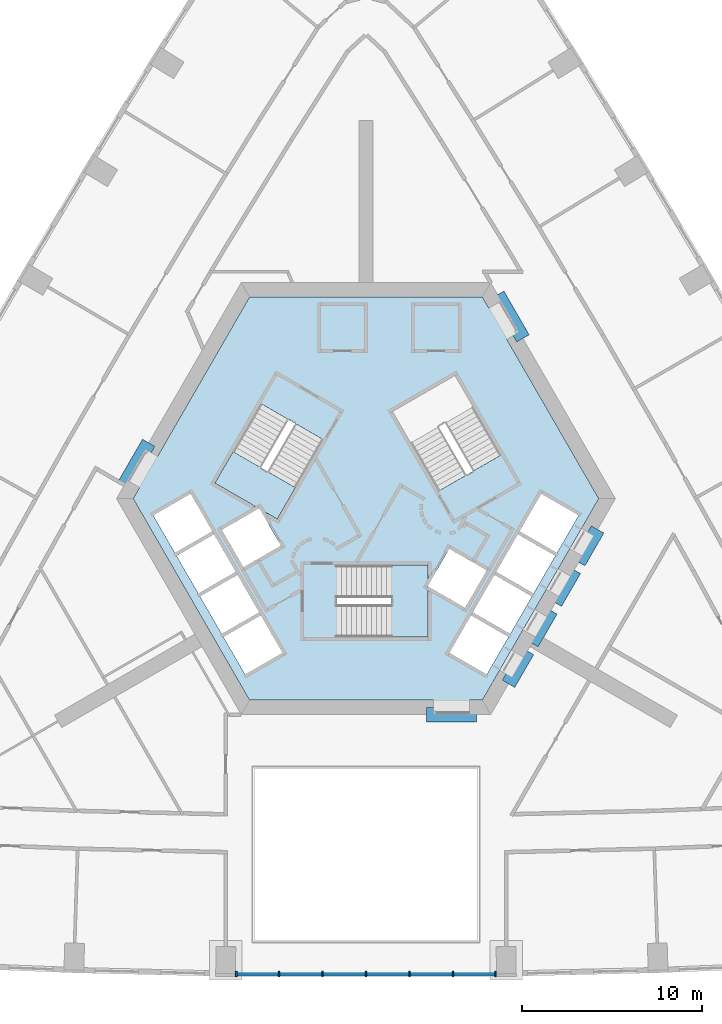
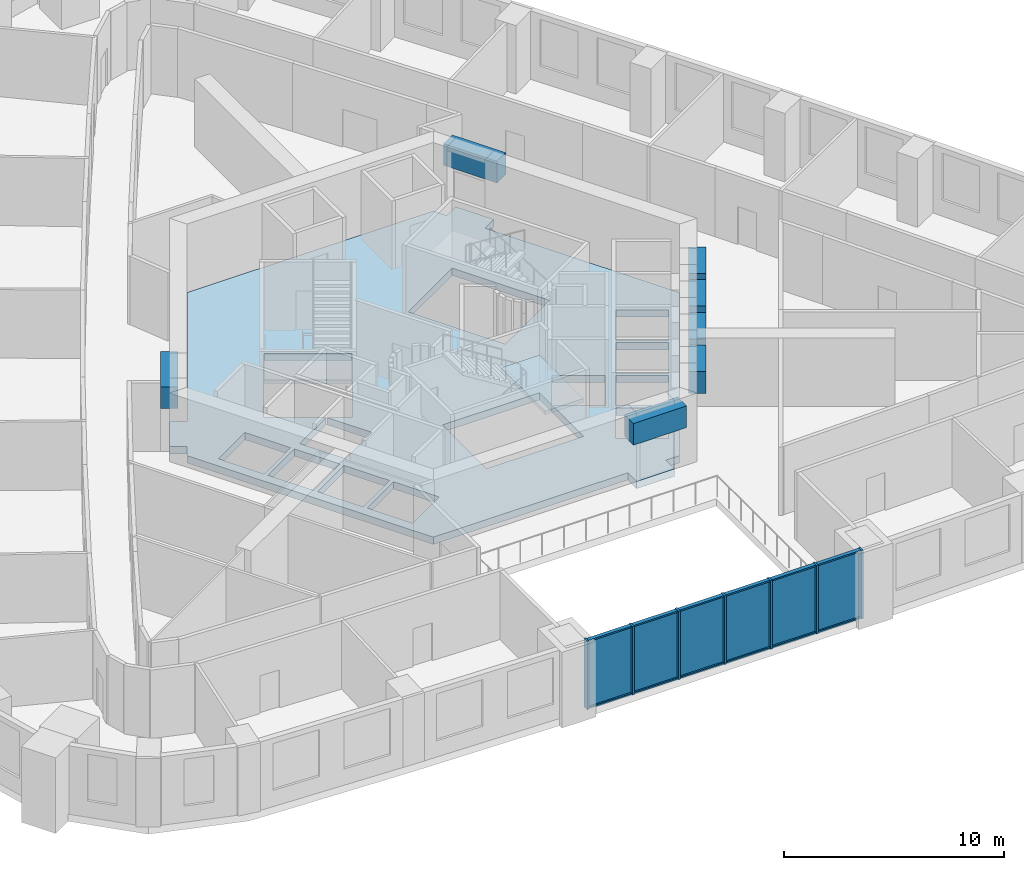
# One storey, part 2 of 12: 19 members, 7 beams, 6 plates, 3 slabs, 3 elements without a shape of their own.
"""IFC4 building model written with IfcOpenShell, lengths in metres."""

from ifc_helpers import new_model, si_unit, direction, frame, origin, origin_2d, place, context, subcontext, project, spatial, polyline, rectangle, outline, extrude, material, layer, layer_set, material_profile, profile_set, type_object, element, aggregate, save


model = new_model("IFC4")

# Units and contexts
model_context = context("Model", 3, precision=1e-05, world=origin(), true_north=direction((0.0, 1.0)))
body_context = subcontext(model_context, "Body", "Model", "MODEL_VIEW")
ifc_project = project(units=[si_unit("LENGTHUNIT", "METRE"), si_unit("AREAUNIT", "SQUARE_METRE"), si_unit("VOLUMEUNIT", "CUBIC_METRE"), si_unit("PLANEANGLEUNIT", "RADIAN"), si_unit("MASSUNIT", "GRAM", prefix="KILO")], contexts=[model_context])

# Site, building, storey
site_placement = place(None, origin())
site = spatial("IfcSite", under=ifc_project, at=site_placement, CompositionType="ELEMENT")
building_placement = place(site_placement, origin())
building = spatial("IfcBuilding", under=site, at=building_placement, Name="Entoto Arch Interchange Tower", CompositionType="ELEMENT")
storey_placement = place(building_placement, frame((0.0, 0.0, 142.39990234375)))
storey = spatial("IfcBuildingStorey", under=building, at=storey_placement, Name="L31", CompositionType="ELEMENT", Elevation=142.39990234375)

# Beams
ifc_material_1 = material(Name="Concrete C50/60", Category="concrete")
ifc_material_profile_1 = material_profile(ifc_material_1, rectangle(XDim=0.800048828125, YDim=1.199951171875, at=origin_2d()))
ifc_profile_set_1 = profile_set([ifc_material_profile_1], Name="Concrete C50/60")
beam_type = type_object("IfcBeamType", Name="Coupling beam RC 800x1200 C50/60", PredefinedType="BEAM", material=ifc_profile_set_1)
for number, where, z_axis, x_axis, name in (
    (1, (8.717041015625, 11.402099609375, 3.0), (-0.500200581029, 0.865909567298, 0.0), (-0.865909567298, -0.500200581029, 0.0), "Coupling beam NE L31"),
    (2, (-12.06689453125, 5.597900390625, 3.0), (-0.500200581029, -0.865909567298, 0.0), (0.865909567298, -0.500200581029, 0.0), "Coupling beam NW L31"),
):
    element("IfcBeam", number, at=place(storey_placement, frame(where, z_axis=z_axis, x_axis=x_axis)), inside=storey, type_object=beam_type, Name=name, PredefinedType="BEAM", context=body_context, shape_type="SweptSolid", body=[
        extrude(rectangle(XDim=0.800048828125, YDim=1.199951171875, at=origin_2d()), origin(), (0.0, 0.0, 1.0), 2.799072265625),
    ])
beam_1_placement = place(storey_placement, frame((3.35009765625, -9.5, 3.0), z_axis=(1.0, 0.0, 0.0), x_axis=(0.0, 1.0, 0.0)))
element("IfcBeam", 3, at=beam_1_placement, inside=storey, type_object=beam_type, Name="Coupling beam S L31", PredefinedType="BEAM", context=body_context, shape_type="SweptSolid", body=[
    extrude(rectangle(XDim=0.800048828125, YDim=1.199951171875, at=origin_2d()), origin(), (0.0, 0.0, 1.0), 2.7998046875),
])
for number, where, z_axis, x_axis, name in (
    (4, (7.9169921875, -7.785888671875, 3.0), (0.500178781653, 0.865922159541, 0.0), (-0.865922159541, 0.500178781653, 0.0), "Coupling beam SE L31"),
    (5, (9.217041015625, -5.534912109375, 3.0), (0.500178781653, 0.865922159541, 0.0), (-0.865922159541, 0.500178781653, 0.0), "Coupling beam SE L31"),
):
    element("IfcBeam", number, at=place(storey_placement, frame(where, z_axis=z_axis, x_axis=x_axis)), inside=storey, type_object=beam_type, Name=name, PredefinedType="BEAM", context=body_context, shape_type="SweptSolid", body=[
        extrude(rectangle(XDim=0.800048828125, YDim=1.199951171875, at=origin_2d()), origin(), (0.0, 0.0, 1.0), 2.099365234375),
    ])
beam_2_placement = place(storey_placement, frame((10.51708984375, -3.282958984375, 3.0), z_axis=(0.500091574638, 0.865972526687, 0.0), x_axis=(-0.865972526687, 0.500091574638, 0.0)))
element("IfcBeam", 6, at=beam_2_placement, inside=storey, type_object=beam_type, Name="Coupling beam SE L31", PredefinedType="BEAM", context=body_context, shape_type="SweptSolid", body=[
    extrude(rectangle(XDim=0.800048828125, YDim=1.199951171875, at=origin_2d()), origin(), (0.0, 0.0, 1.0), 2.09912109375),
])
beam_3_placement = place(storey_placement, frame((11.81689453125, -1.031982421875, 3.0), z_axis=(0.500178781653, 0.865922159541, 0.0), x_axis=(-0.865922159541, 0.500178781653, 0.0)))
element("IfcBeam", 7, at=beam_3_placement, inside=storey, type_object=beam_type, Name="Coupling beam SE L31", PredefinedType="BEAM", context=body_context, shape_type="SweptSolid", body=[
    extrude(rectangle(XDim=0.800048828125, YDim=1.199951171875, at=origin_2d()), origin(), (0.0, 0.0, 1.0), 2.099365234375),
])

# Curtain wall, members
ifc_material_2 = material(Name="Aluminium, anodised", Category="aluminium")
curtain_wall_type = type_object("IfcCurtainWallType", Name="CURTAIN WALL ATRIUM", PredefinedType="NOTDEFINED", material=ifc_material_2)
curtain_wall_placement = place(storey_placement, origin())
curtain_wall = element("IfcCurtainWall", 8, at=curtain_wall_placement, inside=storey, type_object=curtain_wall_type, Name="Atrium glazing S-03 L31", PredefinedType="NOTDEFINED")
ifc_material_profile_2 = material_profile(ifc_material_2, rectangle(XDim=0.300048828125, YDim=0.10009765625, at=origin_2d()))
ifc_profile_set_2 = profile_set([ifc_material_profile_2], Name="Aluminium, anodised")
member_type_1 = type_object("IfcMemberType", Name="MULLION ATRIUM 100x300", PredefinedType="MULLION", material=ifc_profile_set_2)
member_1_placement = place(storey_placement, frame((-7.198974609375, -23.916015625, 0.0), z_axis=(0.0, 0.0, 1.0), x_axis=(0.0, 1.0, 0.0)))
member_1 = element("IfcMember", 9, at=member_1_placement, type_object=member_type_1, Name="CWA mullion 1", PredefinedType="MULLION", context=body_context, shape_type="SweptSolid", body=[
    extrude(rectangle(XDim=0.300048828125, YDim=0.10009765625, at=origin_2d()), origin(), (0.0, 0.0, 1.0), 3.800048828125),
])
member_2_placement = place(storey_placement, frame((-4.832763671875, -23.916015625, 0.0), z_axis=(0.0, 0.0, 1.0), x_axis=(0.0, 1.0, 0.0)))
member_2 = element("IfcMember", 10, at=member_2_placement, type_object=member_type_1, Name="CWA mullion 2", PredefinedType="MULLION", context=body_context, shape_type="SweptSolid", body=[
    extrude(rectangle(XDim=0.300048828125, YDim=0.10009765625, at=origin_2d()), origin(), (0.0, 0.0, 1.0), 3.800048828125),
])
member_3_placement = place(storey_placement, frame((-2.416259765625, -23.916015625, 0.0), z_axis=(0.0, 0.0, 1.0), x_axis=(0.0, 1.0, 0.0)))
member_3 = element("IfcMember", 11, at=member_3_placement, type_object=member_type_1, Name="CWA mullion 3", PredefinedType="MULLION", context=body_context, shape_type="SweptSolid", body=[
    extrude(rectangle(XDim=0.300048828125, YDim=0.10009765625, at=origin_2d()), origin(), (0.0, 0.0, 1.0), 3.800048828125),
])
member_4_placement = place(storey_placement, frame((0.0, -23.916015625, 0.0), z_axis=(0.0, 0.0, 1.0), x_axis=(0.0, 1.0, 0.0)))
member_4 = element("IfcMember", 12, at=member_4_placement, type_object=member_type_1, Name="CWA mullion 4", PredefinedType="MULLION", context=body_context, shape_type="SweptSolid", body=[
    extrude(rectangle(XDim=0.300048828125, YDim=0.10009765625, at=origin_2d()), origin(), (0.0, 0.0, 1.0), 3.800048828125),
])
member_5_placement = place(storey_placement, frame((2.416259765625, -23.916015625, 0.0), z_axis=(0.0, 0.0, 1.0), x_axis=(0.0, 1.0, 0.0)))
member_5 = element("IfcMember", 13, at=member_5_placement, type_object=member_type_1, Name="CWA mullion 5", PredefinedType="MULLION", context=body_context, shape_type="SweptSolid", body=[
    extrude(rectangle(XDim=0.300048828125, YDim=0.10009765625, at=origin_2d()), origin(), (0.0, 0.0, 1.0), 3.800048828125),
])
member_6_placement = place(storey_placement, frame((4.832763671875, -23.916015625, 0.0), z_axis=(0.0, 0.0, 1.0), x_axis=(0.0, 1.0, 0.0)))
member_6 = element("IfcMember", 14, at=member_6_placement, type_object=member_type_1, Name="CWA mullion 6", PredefinedType="MULLION", context=body_context, shape_type="SweptSolid", body=[
    extrude(rectangle(XDim=0.300048828125, YDim=0.10009765625, at=origin_2d()), origin(), (0.0, 0.0, 1.0), 3.800048828125),
])
member_7_placement = place(storey_placement, frame((7.198974609375, -23.916015625, 0.0), z_axis=(0.0, 0.0, 1.0), x_axis=(0.0, 1.0, 0.0)))
member_7 = element("IfcMember", 15, at=member_7_placement, type_object=member_type_1, Name="CWA mullion 7", PredefinedType="MULLION", context=body_context, shape_type="SweptSolid", body=[
    extrude(rectangle(XDim=0.300048828125, YDim=0.10009765625, at=origin_2d()), origin(), (0.0, 0.0, 1.0), 3.800048828125),
])
ifc_material_profile_3 = material_profile(ifc_material_2, rectangle(XDim=0.199951171875, YDim=0.080078125, at=origin_2d()))
ifc_profile_set_3 = profile_set([ifc_material_profile_3], Name="Aluminium, anodised")
member_type_2 = type_object("IfcMemberType", Name="TRANSOM ATRIUM 80x200", PredefinedType="USERDEFINED", material=ifc_profile_set_3)
member_8_placement = place(storey_placement, frame((-7.14892578125, -23.916015625, 0.0400390625), z_axis=(1.0, 0.0, 0.0), x_axis=(0.0, 1.0, 0.0)))
member_8 = element("IfcMember", 16, at=member_8_placement, type_object=member_type_2, Name="CWA transom 1.1", ObjectType="TRANSOM", PredefinedType="USERDEFINED", context=body_context, shape_type="SweptSolid", body=[
    extrude(rectangle(XDim=0.199951171875, YDim=0.080078125, at=origin_2d()), origin(), (0.0, 0.0, 1.0), 2.266357421875),
])
member_9_placement = place(storey_placement, frame((-7.14892578125, -23.916015625, 3.760009765625), z_axis=(1.0, 0.0, 0.0), x_axis=(0.0, 1.0, 0.0)))
member_9 = element("IfcMember", 17, at=member_9_placement, type_object=member_type_2, Name="CWA transom 1.2", ObjectType="TRANSOM", PredefinedType="USERDEFINED", context=body_context, shape_type="SweptSolid", body=[
    extrude(rectangle(XDim=0.199951171875, YDim=0.080078125, at=origin_2d()), origin(), (0.0, 0.0, 1.0), 2.266357421875),
])
member_10_placement = place(storey_placement, frame((-4.78271484375, -23.916015625, 0.0400390625), z_axis=(1.0, 0.0, 0.0), x_axis=(0.0, 1.0, 0.0)))
member_10 = element("IfcMember", 18, at=member_10_placement, type_object=member_type_2, Name="CWA transom 2.1", ObjectType="TRANSOM", PredefinedType="USERDEFINED", context=body_context, shape_type="SweptSolid", body=[
    extrude(rectangle(XDim=0.199951171875, YDim=0.080078125, at=origin_2d()), origin(), (0.0, 0.0, 1.0), 2.31640625),
])
member_11_placement = place(storey_placement, frame((-4.78271484375, -23.916015625, 3.760009765625), z_axis=(1.0, 0.0, 0.0), x_axis=(0.0, 1.0, 0.0)))
member_11 = element("IfcMember", 19, at=member_11_placement, type_object=member_type_2, Name="CWA transom 2.2", ObjectType="TRANSOM", PredefinedType="USERDEFINED", context=body_context, shape_type="SweptSolid", body=[
    extrude(rectangle(XDim=0.199951171875, YDim=0.080078125, at=origin_2d()), origin(), (0.0, 0.0, 1.0), 2.31640625),
])
member_12_placement = place(storey_placement, frame((-2.366455078125, -23.916015625, 0.0400390625), z_axis=(1.0, 0.0, 0.0), x_axis=(0.0, 1.0, 0.0)))
member_12 = element("IfcMember", 20, at=member_12_placement, type_object=member_type_2, Name="CWA transom 3.1", ObjectType="TRANSOM", PredefinedType="USERDEFINED", context=body_context, shape_type="SweptSolid", body=[
    extrude(rectangle(XDim=0.199951171875, YDim=0.080078125, at=origin_2d()), origin(), (0.0, 0.0, 1.0), 2.31640625),
])
member_13_placement = place(storey_placement, frame((-2.366455078125, -23.916015625, 3.760009765625), z_axis=(1.0, 0.0, 0.0), x_axis=(0.0, 1.0, 0.0)))
member_13 = element("IfcMember", 21, at=member_13_placement, type_object=member_type_2, Name="CWA transom 3.2", ObjectType="TRANSOM", PredefinedType="USERDEFINED", context=body_context, shape_type="SweptSolid", body=[
    extrude(rectangle(XDim=0.199951171875, YDim=0.080078125, at=origin_2d()), origin(), (0.0, 0.0, 1.0), 2.31640625),
])
member_14_placement = place(storey_placement, frame((0.050048828125, -23.916015625, 0.0400390625), z_axis=(1.0, 0.0, 0.0), x_axis=(0.0, 1.0, 0.0)))
member_14 = element("IfcMember", 22, at=member_14_placement, type_object=member_type_2, Name="CWA transom 4.1", ObjectType="TRANSOM", PredefinedType="USERDEFINED", context=body_context, shape_type="SweptSolid", body=[
    extrude(rectangle(XDim=0.199951171875, YDim=0.080078125, at=origin_2d()), origin(), (0.0, 0.0, 1.0), 2.31640625),
])
member_15_placement = place(storey_placement, frame((0.050048828125, -23.916015625, 3.760009765625), z_axis=(1.0, 0.0, 0.0), x_axis=(0.0, 1.0, 0.0)))
member_15 = element("IfcMember", 23, at=member_15_placement, type_object=member_type_2, Name="CWA transom 4.2", ObjectType="TRANSOM", PredefinedType="USERDEFINED", context=body_context, shape_type="SweptSolid", body=[
    extrude(rectangle(XDim=0.199951171875, YDim=0.080078125, at=origin_2d()), origin(), (0.0, 0.0, 1.0), 2.31640625),
])
member_16_placement = place(storey_placement, frame((2.46630859375, -23.916015625, 0.0400390625), z_axis=(1.0, 0.0, 0.0), x_axis=(0.0, 1.0, 0.0)))
member_16 = element("IfcMember", 24, at=member_16_placement, type_object=member_type_2, Name="CWA transom 5.1", ObjectType="TRANSOM", PredefinedType="USERDEFINED", context=body_context, shape_type="SweptSolid", body=[
    extrude(rectangle(XDim=0.199951171875, YDim=0.080078125, at=origin_2d()), origin(), (0.0, 0.0, 1.0), 2.31640625),
])
member_17_placement = place(storey_placement, frame((2.46630859375, -23.916015625, 3.760009765625), z_axis=(1.0, 0.0, 0.0), x_axis=(0.0, 1.0, 0.0)))
member_17 = element("IfcMember", 25, at=member_17_placement, type_object=member_type_2, Name="CWA transom 5.2", ObjectType="TRANSOM", PredefinedType="USERDEFINED", context=body_context, shape_type="SweptSolid", body=[
    extrude(rectangle(XDim=0.199951171875, YDim=0.080078125, at=origin_2d()), origin(), (0.0, 0.0, 1.0), 2.31640625),
])
member_18_placement = place(storey_placement, frame((4.882568359375, -23.916015625, 0.0400390625), z_axis=(1.0, 0.0, 0.0), x_axis=(0.0, 1.0, 0.0)))
member_18 = element("IfcMember", 26, at=member_18_placement, type_object=member_type_2, Name="CWA transom 6.1", ObjectType="TRANSOM", PredefinedType="USERDEFINED", context=body_context, shape_type="SweptSolid", body=[
    extrude(rectangle(XDim=0.199951171875, YDim=0.080078125, at=origin_2d()), origin(), (0.0, 0.0, 1.0), 2.266357421875),
])
member_19_placement = place(storey_placement, frame((4.882568359375, -23.916015625, 3.760009765625), z_axis=(1.0, 0.0, 0.0), x_axis=(0.0, 1.0, 0.0)))
member_19 = element("IfcMember", 27, at=member_19_placement, type_object=member_type_2, Name="CWA transom 6.2", ObjectType="TRANSOM", PredefinedType="USERDEFINED", context=body_context, shape_type="SweptSolid", body=[
    extrude(rectangle(XDim=0.199951171875, YDim=0.080078125, at=origin_2d()), origin(), (0.0, 0.0, 1.0), 2.266357421875),
])

# Slab
ifc_material_3 = material(Name="Concrete C40/50", Category="concrete")
ifc_layer_1 = layer(ifc_material_3, 0.39990234375)
ifc_layer_set_1 = layer_set([ifc_layer_1], Name="Concrete C40/50")
slab_type_1 = type_object("IfcSlabType", Name="Core floor slab 400 C40/50", PredefinedType="FLOOR", material=ifc_layer_set_1)
slab_1_placement = place(storey_placement, frame((0.0, 0.0, -0.39990234375)))
element("IfcSlab", 28, at=slab_1_placement, inside=storey, type_object=slab_type_1, Name="Core floor slab L31", PredefinedType="FLOOR", context=body_context, shape_type="SweptSolid", body=[
    extrude(outline(polyline([(5.75, -9.5), (3.75, -9.5), (3.75, -8.699951171875), (-6.466064453125, -8.699951171875), (-12.93310546875, 2.5), (-12.574951171875, 3.1201171875), (-13.26708984375, 3.52001953125), (-12.26708984375, 5.251953125), (-11.574951171875, 4.85205078125), (-6.466064453125, 13.699951171875), (6.466064453125, 13.699951171875), (6.823974609375, 13.080078125), (7.51708984375, 13.47998046875), (8.51708984375, 11.748046875), (7.823974609375, 11.347900390625), (12.93310546875, 2.5), (6.466064453125, -8.699951171875), (5.75, -8.699951171875), (5.75, -9.5)]), holes=[polyline([(-5.837890625, -3.988037109375), (-7.916015625, -5.18798828125), (-6.716064453125, -7.26708984375), (-4.637939453125, -6.06689453125), (-5.837890625, -3.988037109375)]), polyline([(-5.93798828125, -3.81494140625), (-7.137939453125, -1.737060546875), (-9.216064453125, -2.93701171875), (-8.01611328125, -5.014892578125), (-5.93798828125, -3.81494140625)]), polyline([(5.5048828125, -3.56494140625), (6.705078125, -1.487060546875), (4.626953125, -0.287109375), (3.449951171875, -2.324951171875), (3.449951171875, -1.199951171875), (-1.64990234375, -1.199951171875), (-1.64990234375, -5.199951171875), (3.449951171875, -5.199951171875), (3.449951171875, -2.3779296875), (5.5048828125, -3.56494140625)]), polyline([(-8.43798828125, 0.514892578125), (-10.51611328125, -0.68505859375), (-9.31591796875, -2.762939453125), (-7.238037109375, -1.56298828125), (-8.43798828125, 0.514892578125)]), polyline([(-4.72705078125, -0.113037109375), (-5.904052734375, 1.925048828125), (-4.928955078125, 1.362060546875), (-2.37890625, 5.779052734375), (-5.843017578125, 7.779052734375), (-8.39306640625, 3.362060546875), (-5.949951171875, 1.951904296875), (-8.0048828125, 0.764892578125), (-6.804931640625, -1.31298828125), (-4.72705078125, -0.113037109375)]), polyline([(-8.5380859375, 0.68798828125), (-9.738037109375, 2.76708984375), (-11.81591796875, 1.56689453125), (-10.615966796875, -0.511962890625), (-8.5380859375, 0.68798828125)]), polyline([(5.837890625, -3.988037109375), (4.637939453125, -6.06689453125), (6.716064453125, -7.26708984375), (7.916015625, -5.18798828125), (5.837890625, -3.988037109375)]), polyline([(7.137939453125, -1.737060546875), (5.93798828125, -3.81494140625), (8.01611328125, -5.014892578125), (9.216064453125, -2.93701171875), (7.137939453125, -1.737060546875)]), polyline([(8.43798828125, 0.514892578125), (7.238037109375, -1.56298828125), (9.31591796875, -2.762939453125), (10.51611328125, -0.68505859375), (8.43798828125, 0.514892578125)]), polyline([(9.738037109375, 2.76708984375), (8.5380859375, 0.68798828125), (10.615966796875, -0.511962890625), (11.81591796875, 1.56689453125), (9.738037109375, 2.76708984375)]), polyline([(4.029052734375, 2.9208984375), (7.492919921875, 4.9208984375), (4.943115234375, 9.337890625), (1.47900390625, 7.337890625), (4.029052734375, 2.9208984375)])]), origin(), (0.0, 0.0, 1.0), 0.39990234375),
])

# Stair, slab
stair_type = type_object("IfcStairType", Name="EXIT STAIR RC 1800", PredefinedType="HALF_TURN_STAIR", material=ifc_material_3)
stair_1_placement = place(storey_placement, origin())
stair_1 = element("IfcStair", 29, at=stair_1_placement, inside=storey, type_object=stair_type, Name="L31 Exit stair S", PredefinedType="HALF_TURN_STAIR")
ifc_layer_2 = layer(ifc_material_3, 0.199951171875)
ifc_layer_set_2 = layer_set([ifc_layer_2], Name="Concrete C40/50")
slab_type_2 = type_object("IfcSlabType", Name="EXIT STAIR LANDING RC 200", PredefinedType="LANDING", material=ifc_layer_set_2)
slab_2_placement = place(storey_placement, frame((0.0, 0.0, 1.900146484375)))
slab_2 = element("IfcSlab", 30, at=slab_2_placement, type_object=slab_type_2, Name="ST-S landing 1", PredefinedType="LANDING", context=body_context, shape_type="SweptSolid", body=[
    extrude(outline(polyline([(1.429931640625, -5.199951171875), (3.449951171875, -5.199951171875), (3.449951171875, -1.199951171875), (1.429931640625, -1.199951171875), (1.429931640625, -5.199951171875)])), origin(), (0.0, 0.0, 1.0), 0.199951171875),
])
aggregate(stair_1, [slab_2])

stair_2_placement = place(storey_placement, origin())
stair_2 = element("IfcStair", 31, at=stair_2_placement, inside=storey, type_object=stair_type, Name="L31 Exit stair NW", PredefinedType="HALF_TURN_STAIR")
slab_3_placement = place(storey_placement, frame((0.0, 0.0, 1.900146484375)))
slab_3 = element("IfcSlab", 32, at=slab_3_placement, type_object=slab_type_2, Name="ST-NW landing 1", PredefinedType="LANDING", context=body_context, shape_type="SweptSolid", body=[
    extrude(outline(polyline([(-7.38330078125, 5.111572265625), (-8.393310546875, 3.3623046875), (-4.92919921875, 1.3623046875), (-3.919189453125, 3.111572265625), (-7.38330078125, 5.111572265625)])), origin(), (0.0, 0.0, 1.0), 0.199951171875),
])
aggregate(stair_2, [slab_3])

# Plate
ifc_material_4 = material(Name="Clear glass, low-e double glazed", Category="glass")
ifc_layer_3 = layer(ifc_material_4, 0.031982421875)
ifc_layer_set_3 = layer_set([ifc_layer_3], Name="Clear glass, low-e double glazed")
plate_type = type_object("IfcPlateType", Name="GLAZING PANEL ATRIUM 32", PredefinedType="CURTAIN_PANEL", material=ifc_layer_set_3)
plate_1_placement = place(storey_placement, frame((-6.015869140625, -23.916015625, 0.080078125), z_axis=(0.0, 0.0, 1.0), x_axis=(1.0, 0.0, 0.0)))
plate_1 = element("IfcPlate", 33, at=plate_1_placement, type_object=plate_type, Name="CWA panel 1.1", PredefinedType="CURTAIN_PANEL", context=body_context, shape_type="SweptSolid", body=[
    extrude(rectangle(XDim=2.266357421875, YDim=0.031982421875, at=origin_2d()), origin(), (0.0, 0.0, 1.0), 3.639892578125),
])

plate_2_placement = place(storey_placement, frame((-3.62451171875, -23.916015625, 0.080078125), z_axis=(0.0, 0.0, 1.0), x_axis=(1.0, 0.0, 0.0)))
plate_2 = element("IfcPlate", 34, at=plate_2_placement, type_object=plate_type, Name="CWA panel 2.1", PredefinedType="CURTAIN_PANEL", context=body_context, shape_type="SweptSolid", body=[
    extrude(rectangle(XDim=2.31640625, YDim=0.031982421875, at=origin_2d()), origin(), (0.0, 0.0, 1.0), 3.639892578125),
])

plate_3_placement = place(storey_placement, frame((-1.208251953125, -23.916015625, 0.080078125), z_axis=(0.0, 0.0, 1.0), x_axis=(1.0, 0.0, 0.0)))
plate_3 = element("IfcPlate", 35, at=plate_3_placement, type_object=plate_type, Name="CWA panel 3.1", PredefinedType="CURTAIN_PANEL", context=body_context, shape_type="SweptSolid", body=[
    extrude(rectangle(XDim=2.31640625, YDim=0.031982421875, at=origin_2d()), origin(), (0.0, 0.0, 1.0), 3.639892578125),
])

plate_4_placement = place(storey_placement, frame((1.208251953125, -23.916015625, 0.080078125), z_axis=(0.0, 0.0, 1.0), x_axis=(1.0, 0.0, 0.0)))
plate_4 = element("IfcPlate", 36, at=plate_4_placement, type_object=plate_type, Name="CWA panel 4.1", PredefinedType="CURTAIN_PANEL", context=body_context, shape_type="SweptSolid", body=[
    extrude(rectangle(XDim=2.31640625, YDim=0.031982421875, at=origin_2d()), origin(), (0.0, 0.0, 1.0), 3.639892578125),
])

plate_5_placement = place(storey_placement, frame((3.62451171875, -23.916015625, 0.080078125), z_axis=(0.0, 0.0, 1.0), x_axis=(1.0, 0.0, 0.0)))
plate_5 = element("IfcPlate", 37, at=plate_5_placement, type_object=plate_type, Name="CWA panel 5.1", PredefinedType="CURTAIN_PANEL", context=body_context, shape_type="SweptSolid", body=[
    extrude(rectangle(XDim=2.31640625, YDim=0.031982421875, at=origin_2d()), origin(), (0.0, 0.0, 1.0), 3.639892578125),
])

plate_6_placement = place(storey_placement, frame((6.015869140625, -23.916015625, 0.080078125), z_axis=(0.0, 0.0, 1.0), x_axis=(1.0, 0.0, 0.0)))
plate_6 = element("IfcPlate", 38, at=plate_6_placement, type_object=plate_type, Name="CWA panel 6.1", PredefinedType="CURTAIN_PANEL", context=body_context, shape_type="SweptSolid", body=[
    extrude(rectangle(XDim=2.266357421875, YDim=0.031982421875, at=origin_2d()), origin(), (0.0, 0.0, 1.0), 3.639892578125),
])

aggregate(curtain_wall, [member_1, member_2, member_3, member_4, member_5, member_6, member_7, member_8, member_9, plate_1, member_10, member_11, plate_2, member_12, member_13, plate_3, member_14, member_15, plate_4, member_16, member_17, plate_5, member_18, member_19, plate_6])

save(model, "model.ifc")
